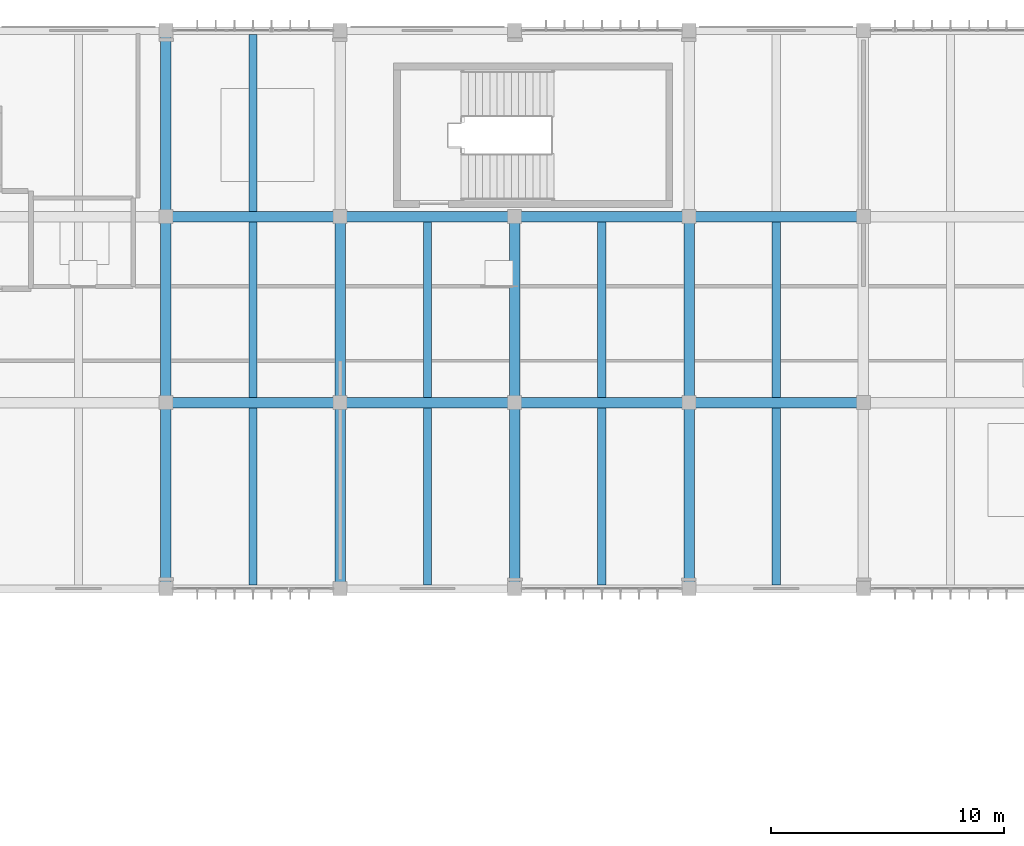
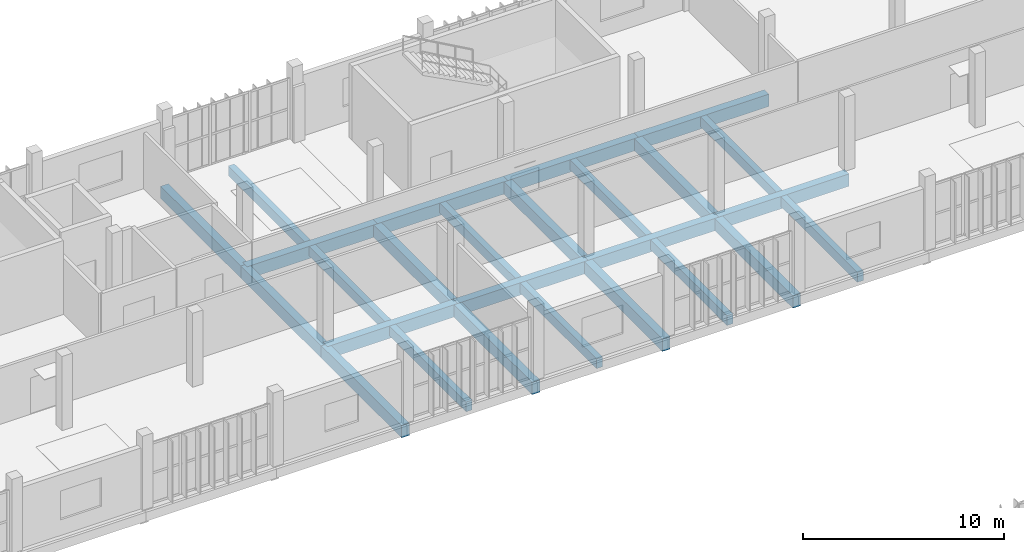
# One storey, part 23 of 81: 26 beams.
"""IFC4 building model written with IfcOpenShell, lengths in metres."""

from ifc_helpers import new_model, si_unit, direction, frame, origin, origin_2d, place, context, subcontext, project, spatial, rectangle, extrude, material, material_profile, profile_set, type_object, element, save


model = new_model("IFC4")

# Units and contexts
model_context = context("Model", 3, precision=1e-05, world=origin(), true_north=direction((0.0, 1.0)))
body_context = subcontext(model_context, "Body", "Model", "MODEL_VIEW")
ifc_project = project(units=[si_unit("LENGTHUNIT", "METRE"), si_unit("AREAUNIT", "SQUARE_METRE"), si_unit("VOLUMEUNIT", "CUBIC_METRE"), si_unit("PLANEANGLEUNIT", "RADIAN"), si_unit("MASSUNIT", "GRAM", prefix="KILO")], contexts=[model_context])

# Site, building, storey
site_placement = place(None, origin())
site = spatial("IfcSite", under=ifc_project, at=site_placement, CompositionType="ELEMENT")
building_placement = place(site_placement, origin())
building = spatial("IfcBuilding", under=site, at=building_placement, Name="Vourika Railside Aquatics Centre", CompositionType="ELEMENT")
storey_placement = place(building_placement, frame((0.0, 0.0, 4.800048828125)))
storey = spatial("IfcBuildingStorey", under=building, at=storey_placement, Name="L01", CompositionType="ELEMENT", Elevation=4.800048828125)

# Beams
ifc_material = material(Name="Concrete C35/45", Category="concrete")
ifc_material_profile_1 = material_profile(ifc_material, rectangle(XDim=0.449951171875, YDim=0.75, at=origin_2d()), Name="RC 450x750")
ifc_profile_set_1 = profile_set([ifc_material_profile_1], Name="Concrete C35/45")
beam_type_1 = type_object("IfcBeamType", Name="BM-GIRD-450x750", PredefinedType="BEAM", material=ifc_profile_set_1)
for number, where, z_axis, x_axis, name in (
    (1, (66.0, 100.0, -0.675048828125), (1.0, 0.0, 0.0), (0.0, 1.0, 0.0), "Floor Beam GX-L01-130"),
    (2, (73.5, 100.0, -0.675048828125), (1.0, 0.0, 0.0), (0.0, 1.0, 0.0), "Floor Beam GX-L01-131"),
    (3, (81.0, 100.0, -0.675048828125), (1.0, 0.0, 0.0), (0.0, 1.0, 0.0), "Floor Beam GX-L01-132"),
    (4, (88.5, 100.0, -0.675048828125), (1.0, 0.0, 0.0), (0.0, 1.0, 0.0), "Floor Beam GX-L01-133"),
    (5, (66.0, 108.0, -0.675048828125), (1.0, 0.0, 0.0), (0.0, 1.0, 0.0), "Floor Beam GX-L01-145"),
    (6, (73.5, 108.0, -0.675048828125), (1.0, 0.0, 0.0), (0.0, 1.0, 0.0), "Floor Beam GX-L01-146"),
    (7, (81.0, 108.0, -0.675048828125), (1.0, 0.0, 0.0), (0.0, 1.0, 0.0), "Floor Beam GX-L01-147"),
    (8, (88.5, 108.0, -0.675048828125), (1.0, 0.0, 0.0), (0.0, 1.0, 0.0), "Floor Beam GX-L01-148"),
):
    element("IfcBeam", number, at=place(storey_placement, frame(where, z_axis=z_axis, x_axis=x_axis)), inside=storey, type_object=beam_type_1, Name=name, PredefinedType="BEAM", context=body_context, shape_type="SweptSolid", body=[
        extrude(rectangle(XDim=0.449951171875, YDim=0.75, at=origin_2d()), origin(), (0.0, 0.0, 1.0), 7.5),
    ])
for number, where, z_axis, x_axis, name in (
    (9, (66.0, 92.0, -0.675048828125), (0.0, 1.0, 0.0), (-1.0, 0.0, 0.0), "Floor Girder GY-L01-217"),
    (10, (66.0, 100.0, -0.675048828125), (0.0, 1.0, 0.0), (-1.0, 0.0, 0.0), "Floor Girder GY-L01-218"),
    (11, (66.0, 108.0, -0.675048828125), (0.0, 1.0, 0.0), (-1.0, 0.0, 0.0), "Floor Girder GY-L01-219"),
    (12, (73.5, 92.0, -0.675048828125), (0.0, 1.0, 0.0), (-1.0, 0.0, 0.0), "Floor Girder GY-L01-223"),
    (13, (73.5, 100.0, -0.675048828125), (0.0, 1.0, 0.0), (-1.0, 0.0, 0.0), "Floor Girder GY-L01-224"),
    (14, (81.0, 92.0, -0.675048828125), (0.0, 1.0, 0.0), (-1.0, 0.0, 0.0), "Floor Girder GY-L01-228"),
    (15, (81.0, 100.0, -0.675048828125), (0.0, 1.0, 0.0), (-1.0, 0.0, 0.0), "Floor Girder GY-L01-229"),
    (16, (88.5, 92.0, -0.675048828125), (0.0, 1.0, 0.0), (-1.0, 0.0, 0.0), "Floor Girder GY-L01-233"),
    (17, (88.5, 100.0, -0.675048828125), (0.0, 1.0, 0.0), (-1.0, 0.0, 0.0), "Floor Girder GY-L01-234"),
):
    element("IfcBeam", number, at=place(storey_placement, frame(where, z_axis=z_axis, x_axis=x_axis)), inside=storey, type_object=beam_type_1, Name=name, PredefinedType="BEAM", context=body_context, shape_type="SweptSolid", body=[
        extrude(rectangle(XDim=0.449951171875, YDim=0.75, at=origin_2d()), origin(), (0.0, 0.0, 1.0), 8.0),
    ])
ifc_material_profile_2 = material_profile(ifc_material, rectangle(XDim=0.35009765625, YDim=0.60009765625, at=origin_2d()), Name="RC 350x600")
ifc_profile_set_2 = profile_set([ifc_material_profile_2], Name="Concrete C35/45")
beam_type_2 = type_object("IfcBeamType", Name="BM-SEC-350x600", PredefinedType="JOIST", material=ifc_profile_set_2)
for number, where, z_axis, x_axis, name in (
    (18, (69.75, 92.159912109375, -0.60009765625), (0.0, 1.0, 0.0), (-1.0, 0.0, 0.0), "Secondary Joist JY-L01-357"),
    (19, (77.25, 92.159912109375, -0.60009765625), (0.0, 1.0, 0.0), (-1.0, 0.0, 0.0), "Secondary Joist JY-L01-358"),
    (20, (84.75, 92.159912109375, -0.60009765625), (0.0, 1.0, 0.0), (-1.0, 0.0, 0.0), "Secondary Joist JY-L01-359"),
    (21, (92.25, 92.159912109375, -0.60009765625), (0.0, 1.0, 0.0), (-1.0, 0.0, 0.0), "Secondary Joist JY-L01-360"),
):
    element("IfcBeam", number, at=place(storey_placement, frame(where, z_axis=z_axis, x_axis=x_axis)), inside=storey, type_object=beam_type_2, Name=name, PredefinedType="JOIST", context=body_context, shape_type="SweptSolid", body=[
        extrude(rectangle(XDim=0.35009765625, YDim=0.60009765625, at=origin_2d()), origin(), (0.0, 0.0, 1.0), 7.614990234375),
    ])
for number, where, z_axis, x_axis, name in (
    (22, (69.75, 100.22509765625, -0.60009765625), (0.0, 1.0, 0.0), (-1.0, 0.0, 0.0), "Secondary Joist JY-L01-372"),
    (23, (77.25, 100.22509765625, -0.60009765625), (0.0, 1.0, 0.0), (-1.0, 0.0, 0.0), "Secondary Joist JY-L01-373"),
    (24, (84.75, 100.22509765625, -0.60009765625), (0.0, 1.0, 0.0), (-1.0, 0.0, 0.0), "Secondary Joist JY-L01-374"),
    (25, (92.25, 100.22509765625, -0.60009765625), (0.0, 1.0, 0.0), (-1.0, 0.0, 0.0), "Secondary Joist JY-L01-375"),
):
    element("IfcBeam", number, at=place(storey_placement, frame(where, z_axis=z_axis, x_axis=x_axis)), inside=storey, type_object=beam_type_2, Name=name, PredefinedType="JOIST", context=body_context, shape_type="SweptSolid", body=[
        extrude(rectangle(XDim=0.35009765625, YDim=0.60009765625, at=origin_2d()), origin(), (0.0, 0.0, 1.0), 7.5498046875),
    ])
beam_placement = place(storey_placement, frame((69.75, 108.22509765625, -0.60009765625), z_axis=(0.0, 1.0, 0.0), x_axis=(-1.0, 0.0, 0.0)))
element("IfcBeam", 26, at=beam_placement, inside=storey, type_object=beam_type_2, Name="Secondary Joist JY-L01-383", PredefinedType="JOIST", context=body_context, shape_type="SweptSolid", body=[
    extrude(rectangle(XDim=0.35009765625, YDim=0.60009765625, at=origin_2d()), origin(), (0.0, 0.0, 1.0), 7.614990234375),
])

save(model, "model.ifc")
